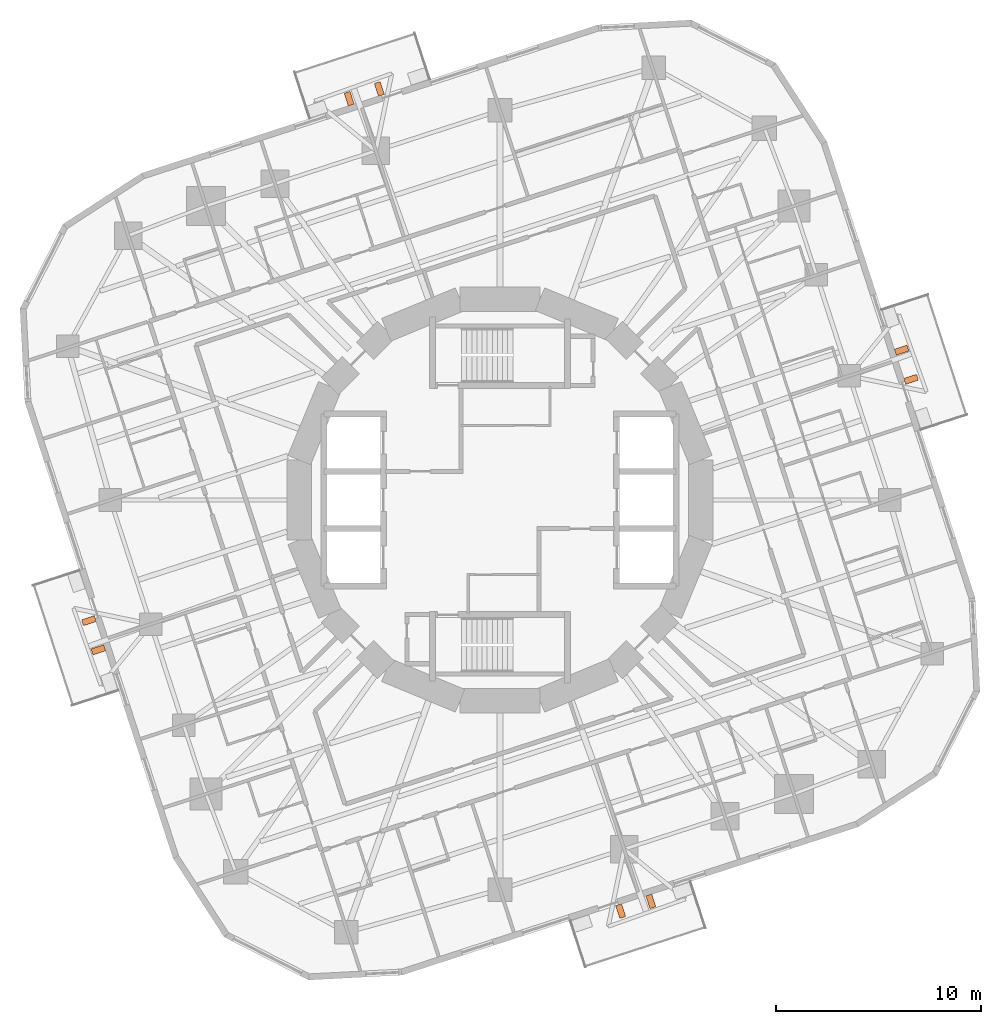
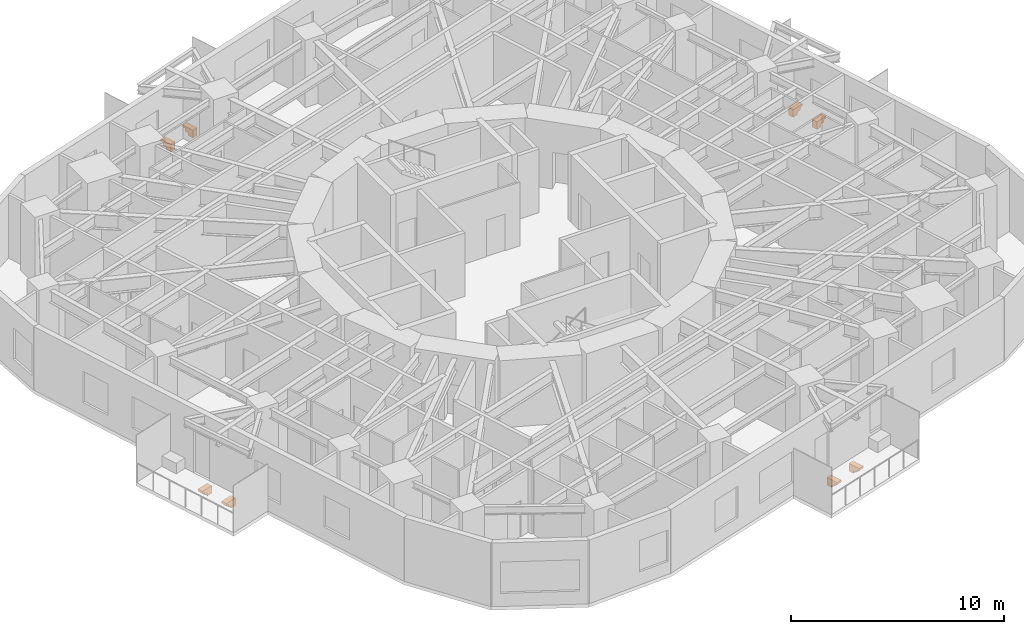
# One storey, part 12 of 12: 8 proxies.
"""IFC4 building model written with IfcOpenShell, lengths in metres."""

from ifc_helpers import new_model, si_unit, direction, frame, origin, place, context, subcontext, project, spatial, polyline, outline, extrude, material, type_object, element, save


model = new_model("IFC4")

# Units and contexts
model_context = context("Model", 3, precision=1e-05, world=origin(), true_north=direction((0.0, 1.0)))
body_context = subcontext(model_context, "Body", "Model", "MODEL_VIEW")
ifc_project = project(units=[si_unit("LENGTHUNIT", "METRE"), si_unit("AREAUNIT", "SQUARE_METRE"), si_unit("VOLUMEUNIT", "CUBIC_METRE"), si_unit("PLANEANGLEUNIT", "RADIAN"), si_unit("MASSUNIT", "GRAM", prefix="KILO")], contexts=[model_context])

# Site, building, storey
site_placement = place(None, origin())
site = spatial("IfcSite", under=ifc_project, at=site_placement, CompositionType="ELEMENT")
building_placement = place(site_placement, origin())
building = spatial("IfcBuilding", under=site, at=building_placement, Name="Nakasero Lantern House", CompositionType="ELEMENT")
storey_placement = place(building_placement, frame((0.0, 0.0, 145.64990234375)))
storey = spatial("IfcBuildingStorey", under=building, at=storey_placement, Name="L35", CompositionType="ELEMENT", Elevation=145.64990234375)

# Proxies
ifc_material = material(Name="Concrete C40/50 precast", Category="concrete")
building_element_proxy_type = type_object("IfcBuildingElementProxyType", Name="Balcony bracket 300", PredefinedType="USERDEFINED", material=ifc_material)
for number, where, z_axis, x_axis, name in (
    (1, (19.777099609375, 5.795166015625, -0.199951171875), (0.0, 0.0, 1.0), (0.951056516, 0.309016994, 0.0), "Balcony bracket L35 0A"),
    (2, (19.313720703125, 7.2216796875, -0.199951171875), (0.0, 0.0, 1.0), (0.951056516, 0.309016994, 0.0), "Balcony bracket L35 0B"),
    (3, (-5.795166015625, 19.777099609375, -0.199951171875), (0.0, 0.0, 1.0), (-0.309016994, 0.951056516, 0.0), "Balcony bracket L35 1A"),
    (4, (-7.269287109375, 19.298095703125, -0.199951171875), (0.0, 0.0, 1.0), (-0.309016994, 0.951056516, 0.0), "Balcony bracket L35 1B"),
    (5, (-19.777099609375, -5.795166015625, -0.199951171875), (0.0, 0.0, 1.0), (-0.951056516, -0.309016994, 0.0), "Balcony bracket L35 2A"),
    (6, (-19.313720703125, -7.2216796875, -0.199951171875), (0.0, 0.0, 1.0), (-0.951056516, -0.309016994, 0.0), "Balcony bracket L35 2B"),
    (7, (5.795166015625, -19.777099609375, -0.199951171875), (0.0, 0.0, 1.0), (0.309016994, -0.951056516, 0.0), "Balcony bracket L35 3A"),
    (8, (7.269287109375, -19.298095703125, -0.199951171875), (0.0, 0.0, 1.0), (0.309016994, -0.951056516, 0.0), "Balcony bracket L35 3B"),
):
    element("IfcBuildingElementProxy", number, at=place(storey_placement, frame(where, z_axis=z_axis, x_axis=x_axis)), inside=storey, type_object=building_element_proxy_type, Name=name, ObjectType="BALCONY BRACKET", PredefinedType="USERDEFINED", context=body_context, shape_type="SweptSolid", body=[
        extrude(outline(polyline([(0.0, 0.0), (0.64990234375, 0.0), (0.64990234375, -0.1201171875), (0.5, -0.1201171875), (0.5, -0.280029296875), (0.300048828125, -0.280029296875), (0.300048828125, -0.43994140625), (0.0, -0.43994140625), (0.0, 0.0)])), frame((0.0, 0.14990234375, 0.0), z_axis=(0.0, -1.0, 0.0), x_axis=(1.0, 0.0, 0.0)), (0.0, 0.0, 1.0), 0.300048828125),
    ])

save(model, "model.ifc")
